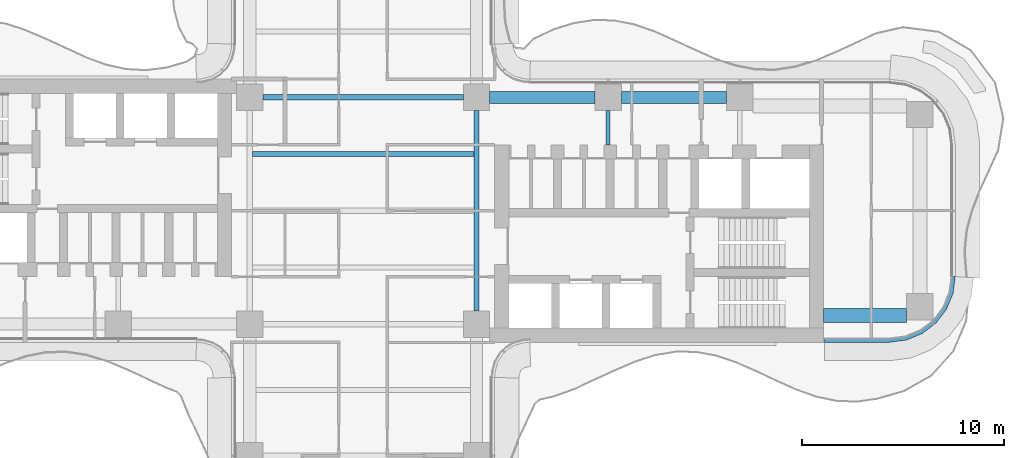
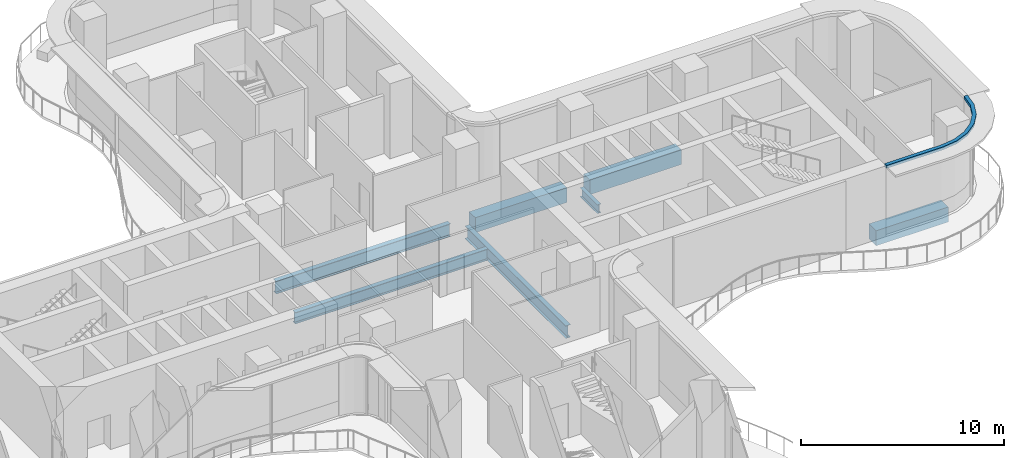
# One storey, part 6 of 21: 7 beams, 1 member, 1 element without a shape of its own.
"""IFC4 building model written with IfcOpenShell, lengths in metres."""

from ifc_helpers import new_model, si_unit, direction, frame, origin, origin_2d, place, context, subcontext, project, spatial, polyline, rectangle, i_section, outline, extrude, source, transform, mapped, material, layer, layer_set, material_profile, profile_set, type_object, element, aggregate, save


model = new_model("IFC4")

# Units and contexts
model_context = context("Model", 3, precision=1e-05, world=origin(), true_north=direction((0.0, 1.0)))
body_context = subcontext(model_context, "Body", "Model", "MODEL_VIEW")
ifc_project = project(units=[si_unit("LENGTHUNIT", "METRE"), si_unit("AREAUNIT", "SQUARE_METRE"), si_unit("VOLUMEUNIT", "CUBIC_METRE"), si_unit("PLANEANGLEUNIT", "RADIAN"), si_unit("MASSUNIT", "GRAM", prefix="KILO")], contexts=[model_context])

# Site, building, storey
site_placement = place(None, origin())
site = spatial("IfcSite", under=ifc_project, at=site_placement, CompositionType="ELEMENT")
building_placement = place(site_placement, origin())
building = spatial("IfcBuilding", under=site, at=building_placement, Name="Trellis Farm Tower", CompositionType="ELEMENT")
storey_placement = place(building_placement, frame((0.0, 0.0, 138.0)))
storey = spatial("IfcBuildingStorey", under=building, at=storey_placement, Name="L29", CompositionType="ELEMENT", Elevation=138.0)

# Beams
ifc_material_1 = material(Name="Steel S355", Category="steel")
ifc_material_profile_1 = material_profile(ifc_material_1, i_section(OverallWidth=0.253662109375, OverallDepth=0.68359375, WebThickness=0.012451171875, FlangeThickness=0.021728515625, FilletRadius=0.01513671875, at=origin_2d()), Name="UB 686x254x140")
ifc_profile_set_1 = profile_set([ifc_material_profile_1], Name="Steel S355")
beam_type_1 = type_object("IfcBeamType", Name="UB 686x254x140 joist", PredefinedType="JOIST", material=ifc_profile_set_1)
shared_shape_1 = source(origin(), body_context, "Body", "SweptSolid", [
    extrude(i_section(OverallWidth=0.253662109375, OverallDepth=0.68359375, WebThickness=0.012451171875, FlangeThickness=0.021728515625, FilletRadius=0.01513671875, at=origin_2d()), origin(), (0.0, 0.0, 1.0), 10.93310546875),
])
beam_1_placement = place(storey_placement, frame((-5.466552734375, 2.800048828125, -0.591796875), z_axis=(1.0, 0.0, 0.0), x_axis=(0.0, 1.0, 0.0)))
element("IfcBeam", 1, at=beam_1_placement, inside=storey, type_object=beam_type_1, Name="Floor beam", PredefinedType="JOIST", context=body_context, shape_type="MappedRepresentation", body=[
    mapped(shared_shape_1, transform((0.0, 0.0, 0.0))),
])
ifc_material_profile_2 = material_profile(ifc_material_1, i_section(OverallWidth=0.2666015625, OverallDepth=0.76220703125, WebThickness=0.014404296875, FlangeThickness=0.021484375, FilletRadius=0.0166015625, at=origin_2d()), Name="UB 762x267x173")
ifc_profile_set_2 = profile_set([ifc_material_profile_2], Name="Steel S355")
beam_type_2 = type_object("IfcBeamType", Name="UB 762x267x173", PredefinedType="BEAM", material=ifc_profile_set_2)
shared_shape_2 = source(origin(), body_context, "Body", "SweptSolid", [
    extrude(i_section(OverallWidth=0.2666015625, OverallDepth=0.76220703125, WebThickness=0.014404296875, FlangeThickness=0.021484375, FilletRadius=0.0166015625, at=origin_2d()), origin(), (0.0, 0.0, 1.0), 9.89990234375),
])
for number, where, z_axis, x_axis, name in (
    (2, (-4.949951171875, 5.60009765625, -0.631103515625), (1.0, 0.0, 0.0), (0.0, 1.0, 0.0), "Girder"),
    (3, (5.60009765625, -4.949951171875, -0.631103515625), (0.0, 1.0, 0.0), (-1.0, 0.0, 0.0), "Girder"),
):
    element("IfcBeam", number, at=place(storey_placement, frame(where, z_axis=z_axis, x_axis=x_axis)), inside=storey, type_object=beam_type_2, Name=name, PredefinedType="BEAM", context=body_context, shape_type="MappedRepresentation", body=[
        mapped(shared_shape_2, transform((0.0, 0.0, 0.0))),
    ])
ifc_material_profile_3 = material_profile(ifc_material_1, i_section(OverallWidth=0.209228515625, OverallDepth=0.533203125, WebThickness=0.010009765625, FlangeThickness=0.015625, FilletRadius=0.0126953125, at=origin_2d()), Name="UB 533x210x92")
ifc_profile_set_3 = profile_set([ifc_material_profile_3], Name="Steel S355")
beam_type_3 = type_object("IfcBeamType", Name="UB 533x210x92", PredefinedType="BEAM", material=ifc_profile_set_3)
shared_shape_3 = source(origin(), body_context, "Body", "SweptSolid", [
    extrude(i_section(OverallWidth=0.209228515625, OverallDepth=0.533203125, WebThickness=0.010009765625, FlangeThickness=0.015625, FilletRadius=0.0126953125, at=origin_2d()), origin(), (0.0, 0.0, 1.0), 1.699951171875),
])
beam_2_placement = place(storey_placement, frame((12.10009765625, 3.25, -0.5166015625), z_axis=(0.0, 1.0, 0.0), x_axis=(-1.0, 0.0, 0.0)))
element("IfcBeam", 4, at=beam_2_placement, inside=storey, type_object=beam_type_3, Name="Girder", PredefinedType="BEAM", context=body_context, shape_type="MappedRepresentation", body=[
    mapped(shared_shape_3, transform((0.0, 0.0, 0.0))),
])
ifc_material_2 = material(Name="Concrete C60/75", Category="concrete")
ifc_material_profile_4 = material_profile(ifc_material_2, rectangle(XDim=0.60009765625, YDim=0.89990234375, at=origin_2d()), Name="RC spandrel beam 600x900 C60/75")
ifc_profile_set_4 = profile_set([ifc_material_profile_4], Name="Concrete C60/75")
beam_type_4 = type_object("IfcBeamType", Name="RC spandrel beam 600x900 C60/75", PredefinedType="SPANDREL", material=ifc_profile_set_4)
shared_shape_4 = source(origin(), body_context, "Body", "SweptSolid", [
    extrude(rectangle(XDim=0.60009765625, YDim=0.89990234375, at=origin_2d()), origin(), (0.0, 0.0, 1.0), 5.199951171875),
])
for number, where, z_axis, x_axis, name in (
    (5, (6.25, 5.60009765625, -0.699951171875), (1.0, 0.0, 0.0), (0.0, 1.0, 0.0), "Girder"),
    (6, (12.75, 5.60009765625, -0.699951171875), (1.0, 0.0, 0.0), (0.0, 1.0, 0.0), "Girder"),
):
    element("IfcBeam", number, at=place(storey_placement, frame(where, z_axis=z_axis, x_axis=x_axis)), inside=storey, type_object=beam_type_4, Name=name, PredefinedType="SPANDREL", context=body_context, shape_type="MappedRepresentation", body=[
        mapped(shared_shape_4, transform((0.0, 0.0, 0.0))),
    ])
ifc_material_profile_5 = material_profile(ifc_material_2, rectangle(XDim=0.699951171875, YDim=0.89990234375, at=origin_2d()), Name="RC spandrel beam 700x900 C60/75")
ifc_profile_set_5 = profile_set([ifc_material_profile_5], Name="Concrete C60/75")
beam_type_5 = type_object("IfcBeamType", Name="RC spandrel beam 700x900 C60/75", PredefinedType="SPANDREL", material=ifc_profile_set_5)
shared_shape_5 = source(origin(), body_context, "Body", "SweptSolid", [
    extrude(rectangle(XDim=0.699951171875, YDim=0.89990234375, at=origin_2d()), origin(), (0.0, 0.0, 1.0), 4.10009765625),
])
beam_3_placement = place(storey_placement, frame((22.75, -5.175048828125, -0.699951171875), z_axis=(1.0, 0.0, 0.0), x_axis=(0.0, 1.0, 0.0)))
element("IfcBeam", 7, at=beam_3_placement, inside=storey, type_object=beam_type_5, Name="Girder", PredefinedType="SPANDREL", context=body_context, shape_type="MappedRepresentation", body=[
    mapped(shared_shape_5, transform((0.0, 0.0, 0.0))),
])

# Curtain wall, member
ifc_material_3 = material(Name="Aluminium and glass curtain wall", Category="aluminium")
ifc_layer_1 = layer(ifc_material_3, 0.18994140625)
ifc_layer_set_1 = layer_set([ifc_layer_1], Name="RIBBON CURTAIN WALL CW1")
curtain_wall_type = type_object("IfcCurtainWallType", Name="RIBBON CURTAIN WALL CW1", PredefinedType="NOTDEFINED", material=ifc_layer_set_1)
curtain_wall_placement = place(storey_placement, origin())
curtain_wall = element("IfcCurtainWall", 8, at=curtain_wall_placement, inside=storey, type_object=curtain_wall_type, Name="CW1 006", PredefinedType="NOTDEFINED")
ifc_material_4 = material(Name="Aluminium extrusion 6063-T6", Category="aluminium")
ifc_layer_2 = layer(ifc_material_4, 0.199951171875)
ifc_layer_set_2 = layer_set([ifc_layer_2], Name="Aluminium extrusion 6063-T6")
member_type = type_object("IfcMemberType", Name="CW1 TRANSOM 200x180", PredefinedType="USERDEFINED", material=ifc_layer_set_2)
shared_shape_6 = source(origin(), body_context, "Body", "SweptSolid", [
    extrude(outline(polyline([(22.780029296875, -6.5), (26.0, -6.5), (26.841064453125, -6.38916015625), (27.625, -6.064697265625), (28.298095703125, -5.548095703125), (28.814697265625, -4.875), (29.13916015625, -4.091064453125), (29.25, -3.25), (29.050048828125, -3.23681640625), (28.9443359375, -4.0390625), (28.639892578125, -4.774169921875), (28.155517578125, -5.405517578125), (27.524169921875, -5.889892578125), (26.7890625, -6.1943359375), (25.98681640625, -6.300048828125), (22.780029296875, -6.300048828125), (22.780029296875, -6.5)])), origin(), (0.0, 0.0, 1.0), 0.179931640625),
])
member_placement = place(storey_placement, frame((0.0, 0.0, 4.070068359375)))
member = element("IfcMember", 9, at=member_placement, type_object=member_type, Name="TR1 006", ObjectType="TRANSOM", PredefinedType="USERDEFINED", context=body_context, shape_type="MappedRepresentation", body=[
    mapped(shared_shape_6, transform((0.0, 0.0, 0.0))),
])
aggregate(curtain_wall, [member])

save(model, "model.ifc")
